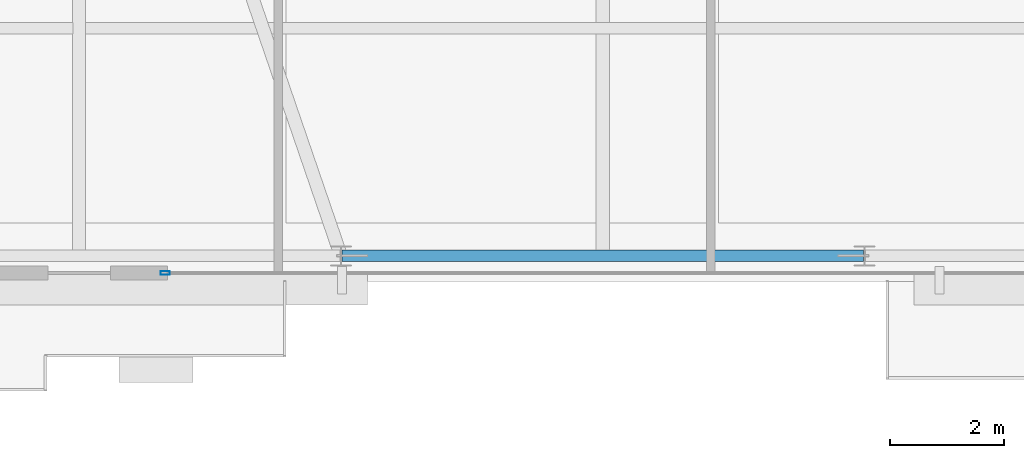
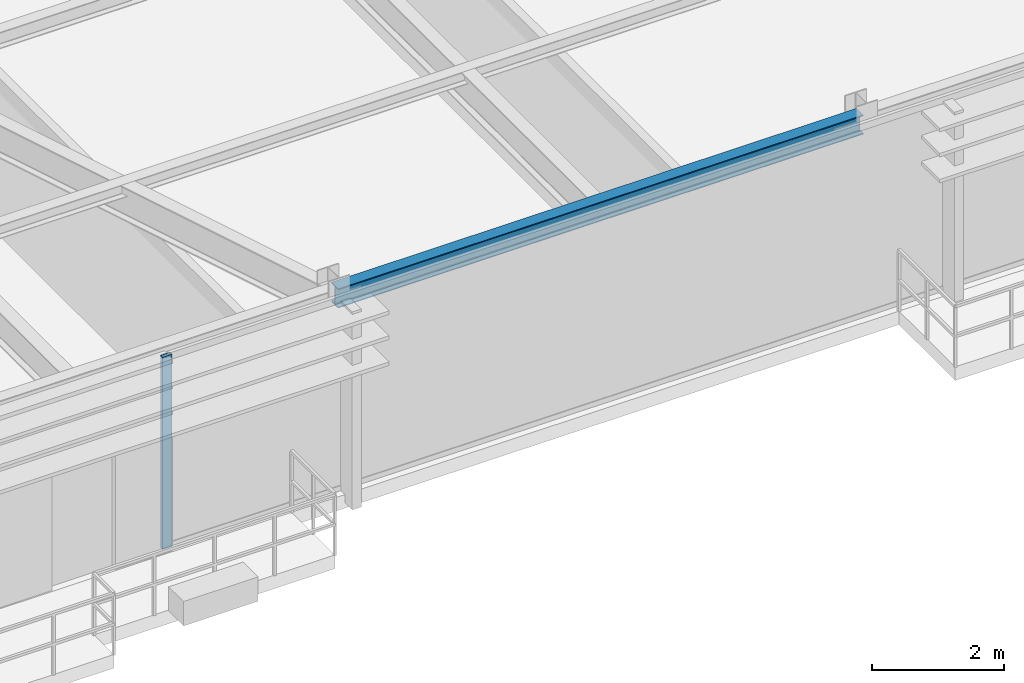
# One storey, part 8 of 30: 1 beam, 1 member, 1 element without a shape of its own.
"""IFC4 building model written with IfcOpenShell, lengths in metres."""

import ifcopenshell
import ifcopenshell.guid

model = None  # the IFC model being written
_history = None  # IfcOwnerHistory: only IFC2X3 demands one
_inside = {}  # id of a spatial element -> (the spatial element, [elements in it])
_under = {}  # id of a project, library or spatial element -> (it, [spatial elements below it])
_declared = {}  # id of a project -> (the project, [libraries it declares])
_typed = {}  # id of a type object -> (the type object, [elements of that type])
_made_of = {}  # id of a material, layer set ... -> (it, [elements and type objects made of it])


def new_model(schema):
    """Start an empty IFC model of exactly this schema.

    Asked for "IFC4X3", IfcOpenShell would pick the latest addendum, in which some entities
    have other attributes; the version numbers below select the first issue.
    IFC2X3 requires an IfcOwnerHistory on every rooted entity: one is made here for all.
    """
    global model, _history
    if schema == "IFC4X3":
        model = ifcopenshell.file(schema_version=(4, 3, 0, 0))
    else:
        model = ifcopenshell.file(schema=schema)
    _inside.clear()
    _under.clear()
    _declared.clear()
    _typed.clear()
    _made_of.clear()
    _history = None
    if model.schema == "IFC2X3":
        org = make("IfcOrganization", Name="unknown")
        user = make(
            "IfcPersonAndOrganization",
            ThePerson=make("IfcPerson", FamilyName="unknown"),
            TheOrganization=org,
        )
        app = make(
            "IfcApplication",
            ApplicationDeveloper=org,
            Version="unknown",
            ApplicationFullName="unknown",
            ApplicationIdentifier="unknown",
        )
        _history = make(
            "IfcOwnerHistory",
            OwningUser=user,
            OwningApplication=app,
            ChangeAction="ADDED",
            CreationDate=0,
        )
    return model


def make(cls, **values):
    """One entity of the class cls with the attributes given. An attribute that is None is left unset."""
    return model.create_entity(
        cls, **{name: value for name, value in values.items() if value is not None}
    )


def rooted(cls, **values):
    """An entity with a GlobalId (a new one), such as an element, a storey or a relation."""
    return make(cls, GlobalId=ifcopenshell.guid.new(), OwnerHistory=_history, **values)


def si_unit(unit_type, name, prefix=None):
    """IfcSIUnit, for example si_unit("LENGTHUNIT", "METRE", prefix="MILLI")."""
    return make("IfcSIUnit", UnitType=unit_type, Prefix=prefix, Name=name)


def assignment(units):
    """IfcUnitAssignment: the units of a project."""
    return None if units is None else make("IfcUnitAssignment", Units=units)


def point(xyz):
    """IfcCartesianPoint."""
    return None if xyz is None else make("IfcCartesianPoint", Coordinates=xyz)


def direction(xyz):
    """IfcDirection."""
    return None if xyz is None else make("IfcDirection", DirectionRatios=xyz)


def frame(location, z_axis=None, x_axis=None):
    """IfcAxis2Placement3D, a coordinate frame: its origin and axes. An axis left out is left unset."""
    return make(
        "IfcAxis2Placement3D",
        Location=point(location),
        Axis=direction(z_axis),
        RefDirection=direction(x_axis),
    )


def frame_2d(location, x_axis=None):
    """IfcAxis2Placement2D, a coordinate frame in the plane: its origin and x axis."""
    return make(
        "IfcAxis2Placement2D", Location=point(location), RefDirection=direction(x_axis)
    )


def origin():
    """The frame at (0, 0, 0) with its axes left unset."""
    return frame((0.0, 0.0, 0.0))


def origin_2d():
    """The frame at (0, 0) in the plane with its x axis left unset."""
    return frame_2d((0.0, 0.0))


def place(relative_to, where):
    """IfcLocalPlacement: puts the frame where relative to a parent placement (None: the world)."""
    return make(
        "IfcLocalPlacement", PlacementRelTo=relative_to, RelativePlacement=where
    )


def context(
    kind, dimensions, precision=None, world=None, true_north=None, identifier=None
):
    """IfcGeometricRepresentationContext, for example the 3D "Model" context."""
    return make(
        "IfcGeometricRepresentationContext",
        ContextIdentifier=identifier,
        ContextType=kind,
        CoordinateSpaceDimension=dimensions,
        Precision=precision,
        WorldCoordinateSystem=world,
        TrueNorth=true_north,
    )


def subcontext(parent, identifier, kind, view, scale=None):
    """IfcGeometricRepresentationSubContext, for example "Body" below "Model"."""
    return make(
        "IfcGeometricRepresentationSubContext",
        ContextIdentifier=identifier,
        ContextType=kind,
        ParentContext=parent,
        TargetScale=scale,
        TargetView=view,
    )


def project(units=None, contexts=None):
    """IfcProject with its units and contexts."""
    return rooted(
        "IfcProject",
        Name="project",
        RepresentationContexts=contexts,
        UnitsInContext=assignment(units),
    )


def spatial(cls, under=None, at=None, **own):
    """A site, building, storey or space (cls), placed at a placement, below another one or the project."""
    s = rooted(cls, ObjectPlacement=at, **own)
    if under is not None:
        _under.setdefault(under.id(), (under, []))[1].append(s)
    return s


def profile(cls, at=None, kind="AREA", **sizes):
    """A parametric profile (cls). Its sizes go by their IFC names, for example OverallWidth=200.0."""
    return make(cls, ProfileType=kind, Position=at, **sizes)


def hollow_rectangle(**sizes):
    """IfcRectangleHollowProfileDef."""
    return profile("IfcRectangleHollowProfileDef", **sizes)


def i_section(**sizes):
    """IfcIShapeProfileDef."""
    return profile("IfcIShapeProfileDef", **sizes)


def extrude(swept, where, along, depth):
    """IfcExtrudedAreaSolid: the profile swept, set in the frame where, extruded along a direction by depth."""
    return make(
        "IfcExtrudedAreaSolid",
        SweptArea=swept,
        Position=where,
        ExtrudedDirection=direction(along),
        Depth=depth,
    )


def shape(context_of_items, identifier, shape_type, items):
    """IfcShapeRepresentation: the items that make up one representation, for example the "Body"."""
    return make(
        "IfcShapeRepresentation",
        ContextOfItems=context_of_items,
        RepresentationIdentifier=identifier,
        RepresentationType=shape_type,
        Items=items,
    )


def source(mapping_origin, context_of_items, identifier, shape_type, items):
    """IfcRepresentationMap: a shape defined once, which mapped items show again and again."""
    return make(
        "IfcRepresentationMap",
        MappingOrigin=mapping_origin,
        MappedRepresentation=shape(context_of_items, identifier, shape_type, items),
    )


def transform(
    local_origin,
    x_axis=None,
    y_axis=None,
    z_axis=None,
    scale=None,
    scale2=None,
    scale3=None,
    uniform=True,
):
    """IfcCartesianTransformationOperator3D, or its non-uniform kind. x_axis, y_axis, z_axis: its Axis1, 2, 3."""
    if uniform:
        return make(
            "IfcCartesianTransformationOperator3D",
            Axis1=direction(x_axis),
            Axis2=direction(y_axis),
            LocalOrigin=point(local_origin),
            Scale=scale,
            Axis3=direction(z_axis),
        )
    return make(
        "IfcCartesianTransformationOperator3DnonUniform",
        Axis1=direction(x_axis),
        Axis2=direction(y_axis),
        LocalOrigin=point(local_origin),
        Scale=scale,
        Axis3=direction(z_axis),
        Scale2=scale2,
        Scale3=scale3,
    )


def mapped(mapping_source, mapping_target):
    """IfcMappedItem: shows the shape of a source again, moved by a transform."""
    return make(
        "IfcMappedItem", MappingSource=mapping_source, MappingTarget=mapping_target
    )


def material(Name=None, Category=None):
    """IfcMaterial."""
    return make("IfcMaterial", Name=Name, Category=Category)


def layer(
    of_material, thickness, ventilated=None, Name=None, Category=None, Priority=None
):
    """IfcMaterialLayer: one layer of a wall or slab, of a material (None: an air gap)."""
    return make(
        "IfcMaterialLayer",
        Material=of_material,
        LayerThickness=thickness,
        IsVentilated=ventilated,
        Name=Name,
        Category=Category,
        Priority=Priority,
    )


def layer_set(layers, Name=None):
    """IfcMaterialLayerSet."""
    return make("IfcMaterialLayerSet", MaterialLayers=layers, LayerSetName=Name)


def material_profile(
    of_material, cross_section, Name=None, Category=None, Priority=None
):
    """IfcMaterialProfile: a cross section and its material."""
    return make(
        "IfcMaterialProfile",
        Name=Name,
        Material=of_material,
        Profile=cross_section,
        Priority=Priority,
        Category=Category,
    )


def profile_set(profiles, Name=None, composite=None):
    """IfcMaterialProfileSet."""
    return make(
        "IfcMaterialProfileSet",
        Name=Name,
        MaterialProfiles=profiles,
        CompositeProfile=composite,
    )


def made_of(thing, what):
    """Note that an element or type object is made of a material, layer set ...; save() writes the relation."""
    if what is not None:
        _made_of.setdefault(what.id(), (what, []))[1].append(thing)
    return thing


def type_object(cls, material=None, **own):
    """A type object (cls), such as IfcWallType, which elements share."""
    return made_of(rooted(cls, **own), material)


def type_shapes(of_type, sources):
    """Give a type object the sources (RepresentationMaps) that its elements show as mapped items."""
    of_type.RepresentationMaps = sources


def element(
    cls,
    number,
    at=None,
    inside=None,
    cuts=None,
    type_object=None,
    material=None,
    context=None,
    identifier="Body",
    shape_type=None,
    held_by="IfcProductDefinitionShape",
    body=None,
    shapes=None,
    **own,
):
    """One element of the class cls, such as IfcWall. Its Tag is "e" and its number.

    at: its placement. inside: the storey or other place that contains it. cuts: it is an
    opening in that element (IfcRelVoidsElement). A single representation is given by context,
    identifier, shape_type and body (its items); several are given by shapes. held_by: the class
    of the entity that holds the representations. save() writes the other relations.
    """
    e = rooted(cls, Tag="e%d" % number, ObjectPlacement=at, **own)
    if body is not None:
        shapes = [shape(context, identifier, shape_type, body)]
    if shapes is not None:
        e.Representation = make(held_by, Representations=shapes)
    if inside is not None:
        _inside.setdefault(inside.id(), (inside, []))[1].append(e)
    if cuts is not None:
        rooted(
            "IfcRelVoidsElement", RelatingBuildingElement=cuts, RelatedOpeningElement=e
        )
    if type_object is not None:
        _typed.setdefault(type_object.id(), (type_object, []))[1].append(e)
    return made_of(e, material)


def aggregate(whole, parts):
    """IfcRelAggregates: a whole, such as a stair, and the parts it consists of."""
    return rooted("IfcRelAggregates", RelatingObject=whole, RelatedObjects=parts)


def save(model, path):
    """Write the relations noted so far, then the file.

    IfcRelAggregates (storeys below a building ...), IfcRelContainedInSpatialStructure (elements
    in a storey), IfcRelDefinesByType, IfcRelAssociatesMaterial and IfcRelDeclares: one each for
    every whole, place, type object, material and project.
    """
    for whole, parts in _under.values():
        aggregate(whole, parts)
    for where, things in _inside.values():
        rooted(
            "IfcRelContainedInSpatialStructure",
            RelatedElements=things,
            RelatingStructure=where,
        )
    for kind, things in _typed.values():
        rooted("IfcRelDefinesByType", RelatedObjects=things, RelatingType=kind)
    for what, things in _made_of.values():
        rooted("IfcRelAssociatesMaterial", RelatedObjects=things, RelatingMaterial=what)
    for by, libraries in _declared.values():
        rooted("IfcRelDeclares", RelatingContext=by, RelatedDefinitions=libraries)
    model.write(path)


model = new_model("IFC4")

# Units and contexts
model_context = context("Model", 3, precision=1e-05, world=origin(), true_north=direction((0.0, 1.0)))
body_context = subcontext(model_context, "Body", "Model", "MODEL_VIEW")
ifc_project = project(units=[si_unit("LENGTHUNIT", "METRE"), si_unit("AREAUNIT", "SQUARE_METRE"), si_unit("VOLUMEUNIT", "CUBIC_METRE"), si_unit("PLANEANGLEUNIT", "RADIAN"), si_unit("MASSUNIT", "GRAM", prefix="KILO")], contexts=[model_context])

# Site, building, storey
site_placement = place(None, origin())
site = spatial("IfcSite", under=ifc_project, at=site_placement, CompositionType="ELEMENT")
building_placement = place(site_placement, origin())
building = spatial("IfcBuilding", under=site, at=building_placement, Name="Varnel Quay Broadcast Tower", CompositionType="ELEMENT")
storey_placement = place(building_placement, frame((0.0, 0.0, 211.199951171875)))
storey = spatial("IfcBuildingStorey", under=building, at=storey_placement, Name="L52", CompositionType="ELEMENT", Elevation=211.199951171875)

# Beam
ifc_material_1 = material(Name="Structural Steel CSA G40.21 350W", Category="steel")
ifc_material_profile_1 = material_profile(ifc_material_1, i_section(OverallWidth=0.205078125, OverallDepth=0.35400390625, WebThickness=0.009521484375, FlangeThickness=0.016845703125, FilletRadius=0.012939453125, at=origin_2d()), Name="W360X79")
ifc_profile_set_1 = profile_set([ifc_material_profile_1], Name="Structural Steel CSA G40.21 350W")
beam_type = type_object("IfcBeamType", Name="Beam_W360X79", PredefinedType="SPANDREL", material=ifc_profile_set_1)
shared_shape_1 = source(origin(), body_context, "Body", "SweptSolid", [
    extrude(i_section(OverallWidth=0.205078125, OverallDepth=0.35400390625, WebThickness=0.009521484375, FlangeThickness=0.016845703125, FilletRadius=0.012939453125, at=origin_2d()), origin(), (0.0, 0.0, 1.0), 9.16015625),
])
type_shapes(beam_type, [shared_shape_1])
beam_placement = place(storey_placement, frame((29.419921875, 10.64990234375, 3.373046875), z_axis=(1.0, 0.0, 0.0), x_axis=(0.0, 1.0, 0.0)))
element("IfcBeam", 1, at=beam_placement, inside=storey, type_object=beam_type, Name="L52 South Spandrel TC-S2-TC-S3", PredefinedType="SPANDREL", context=body_context, shape_type="MappedRepresentation", body=[
    mapped(shared_shape_1, transform((0.0, 0.0, 0.0), x_axis=(1.0, 0.0, 0.0), y_axis=(0.0, 1.0, 0.0), z_axis=(0.0, 0.0, 1.0), scale=1.0)),
])

# Curtain wall, member
ifc_material_2 = material(Name="Anodised Bronze Aluminium 6063-T6", Category="aluminium")
ifc_layer = layer(ifc_material_2, 0.18994140625, Name="Anodised Bronze Aluminium 6063-T6")
ifc_layer_set = layer_set([ifc_layer], Name="Anodised Bronze Aluminium 6063-T6")
curtain_wall_type = type_object("IfcCurtainWallType", Name="CW_UpperTower", PredefinedType="NOTDEFINED", material=ifc_layer_set)
curtain_wall_placement = place(storey_placement, origin())
curtain_wall = element("IfcCurtainWall", 2, at=curtain_wall_placement, inside=storey, type_object=curtain_wall_type, Name="L52 South Unitised Curtain Wall 2", PredefinedType="NOTDEFINED")
ifc_material_profile_2 = material_profile(ifc_material_2, hollow_rectangle(XDim=0.06494140625, YDim=0.1650390625, WallThickness=0.00341796875, at=origin_2d()), Name="ALU65X165X3.5")
ifc_profile_set_2 = profile_set([ifc_material_profile_2], Name="Anodised Bronze Aluminium 6063-T6")
member_type = type_object("IfcMemberType", Name="Mull_CWS-03", PredefinedType="MULLION", material=ifc_profile_set_2)
shared_shape_2 = source(origin(), body_context, "Body", "SweptSolid", [
    extrude(hollow_rectangle(XDim=0.06494140625, YDim=0.1650390625, WallThickness=0.00341796875, at=origin_2d()), origin(), (0.0, 0.0, 1.0), 3.550048828125),
])
type_shapes(member_type, [shared_shape_2])
member_placement = place(storey_placement, frame((26.3125, 10.35009765625, 0.0), z_axis=(0.0, 0.0, 1.0), x_axis=(0.0, 1.0, 0.0)))
member = element("IfcMember", 3, at=member_placement, type_object=member_type, Name="CWS-03 mullion 1", PredefinedType="MULLION", context=body_context, shape_type="MappedRepresentation", body=[
    mapped(shared_shape_2, transform((0.0, 0.0, 0.0), x_axis=(1.0, 0.0, 0.0), y_axis=(0.0, 1.0, 0.0), z_axis=(0.0, 0.0, 1.0), scale=1.0)),
])
aggregate(curtain_wall, [member])

save(model, "model.ifc")
